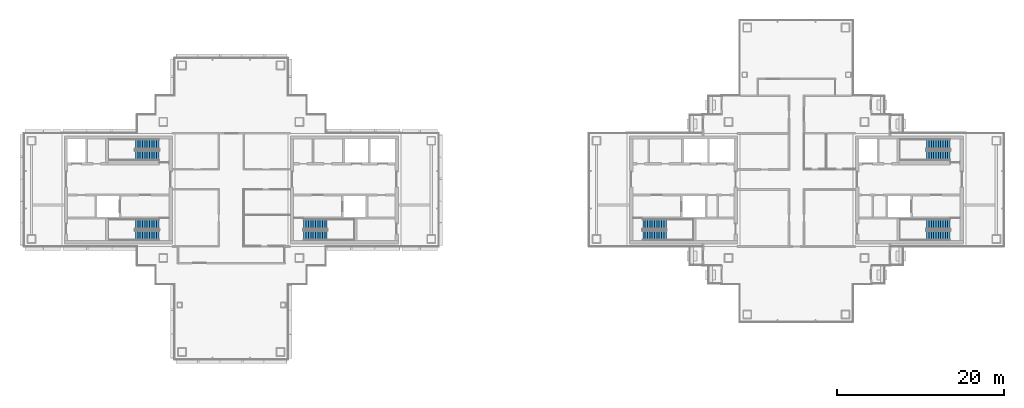
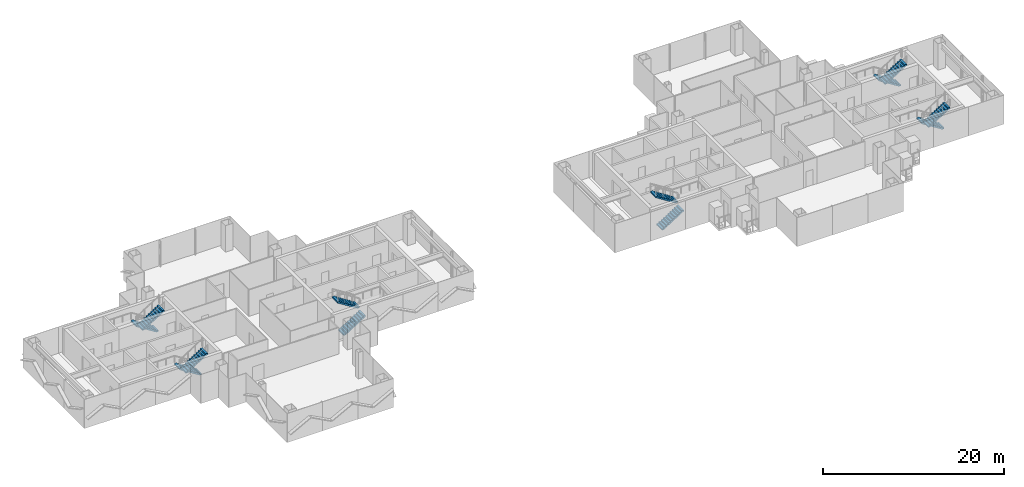
# One storey, part 13 of 17: 12 stair flights, 6 elements without a shape of their own.
"""IFC4 building model written with IfcOpenShell, lengths in metres."""

from ifc_helpers import new_model, si_unit, direction, frame, origin, place, context, subcontext, project, spatial, polyline, outline, extrude, material, type_object, element, aggregate, save


model = new_model("IFC4")

# Units and contexts
model_context = context("Model", 3, precision=1e-05, world=origin(), true_north=direction((0.0, 1.0)))
body_context = subcontext(model_context, "Body", "Model", "MODEL_VIEW")
ifc_project = project(units=[si_unit("LENGTHUNIT", "METRE"), si_unit("AREAUNIT", "SQUARE_METRE"), si_unit("VOLUMEUNIT", "CUBIC_METRE"), si_unit("PLANEANGLEUNIT", "RADIAN"), si_unit("MASSUNIT", "GRAM", prefix="KILO")], contexts=[model_context])

# Site, building, storey
site_placement = place(None, origin())
site = spatial("IfcSite", under=ifc_project, at=site_placement, CompositionType="ELEMENT")
building_placement = place(site_placement, origin())
building = spatial("IfcBuilding", under=site, at=building_placement, Name="Shamsa Quay Exchange Towers", CompositionType="ELEMENT")
storey_placement = place(building_placement, frame((0.0, 0.0, 194.39990234375)))
storey = spatial("IfcBuildingStorey", under=building, at=storey_placement, Name="L46", CompositionType="ELEMENT", Elevation=194.39990234375)

# Stair, stair flights
ifc_material = material(Name="Concrete C40/50", Category="concrete")
stair_type = type_object("IfcStairType", Name="EXIT STAIR 22 RISERS 177 MM", PredefinedType="HALF_TURN_STAIR", material=ifc_material)
stair_1_placement = place(storey_placement, origin())
stair_1 = element("IfcStair", 1, at=stair_1_placement, inside=storey, type_object=stair_type, Name="L46 Exit stair ST1", PredefinedType="HALF_TURN_STAIR")
stair_flight_type = type_object("IfcStairFlightType", Name="EXIT STAIR FLIGHT 11 RISERS 177 MM", PredefinedType="STRAIGHT", material=ifc_material)
stair_flight_1_placement = place(storey_placement, frame((-25.10009765625, -5.449951171875, 0.0)))
stair_flight_1 = element("IfcStairFlight", 2, at=stair_flight_1_placement, type_object=stair_flight_type, Name="ST1 flight 1", NumberOfRisers=11, NumberOfTreads=10, PredefinedType="STRAIGHT", RiserHeight=0.177272727, TreadLength=0.28, context=body_context, shape_type="SweptSolid", body=[
    extrude(outline(polyline([(0.0, 0.0), (0.0, 0.17724609375), (0.280029296875, 0.17724609375), (0.280029296875, 0.3544921875), (0.56005859375, 0.3544921875), (0.56005859375, 0.53173828125), (0.840087890625, 0.53173828125), (0.840087890625, 0.708984375), (1.1201171875, 0.708984375), (1.1201171875, 0.886474609375), (1.39990234375, 0.886474609375), (1.39990234375, 1.063720703125), (1.679931640625, 1.063720703125), (1.679931640625, 1.240966796875), (1.9599609375, 1.240966796875), (1.9599609375, 1.418212890625), (2.239990234375, 1.418212890625), (2.239990234375, 1.595458984375), (2.52001953125, 1.595458984375), (2.52001953125, 1.772705078125), (2.800048828125, 1.772705078125), (2.800048828125, 1.949951171875), (2.800048828125, 1.607177734375), (0.261474609375, 0.0), (0.0, 0.0)])), frame((0.0, 0.60009765625, 0.0), z_axis=(0.0, -1.0, 0.0), x_axis=(1.0, 0.0, 0.0)), (0.0, 0.0, 1.0), 1.199951171875),
])
stair_flight_2_placement = place(storey_placement, frame((-22.300048828125, -4.10009765625, 1.9501953125), z_axis=(0.0, 0.0, 1.0), x_axis=(-1.0, 0.0, 0.0)))
stair_flight_2 = element("IfcStairFlight", 3, at=stair_flight_2_placement, type_object=stair_flight_type, Name="ST1 flight 2", NumberOfRisers=11, NumberOfTreads=10, PredefinedType="STRAIGHT", RiserHeight=0.177272727, TreadLength=0.28, context=body_context, shape_type="SweptSolid", body=[
    extrude(outline(polyline([(0.0, 0.0), (0.0, 0.17724609375), (0.280029296875, 0.17724609375), (0.280029296875, 0.3544921875), (0.56005859375, 0.3544921875), (0.56005859375, 0.53173828125), (0.840087890625, 0.53173828125), (0.840087890625, 0.708984375), (1.1201171875, 0.708984375), (1.1201171875, 0.886474609375), (1.39990234375, 0.886474609375), (1.39990234375, 1.063720703125), (1.679931640625, 1.063720703125), (1.679931640625, 1.240966796875), (1.9599609375, 1.240966796875), (1.9599609375, 1.418212890625), (2.239990234375, 1.418212890625), (2.239990234375, 1.595458984375), (2.52001953125, 1.595458984375), (2.52001953125, 1.772705078125), (2.800048828125, 1.772705078125), (2.800048828125, 1.949951171875), (2.800048828125, 1.607177734375), (0.261474609375, 0.0), (0.0, 0.0)])), frame((0.0, 0.60009765625, 0.0), z_axis=(0.0, -1.0, 0.0), x_axis=(1.0, 0.0, 0.0)), (0.0, 0.0, 1.0), 1.199951171875),
])
aggregate(stair_1, [stair_flight_1, stair_flight_2])

stair_2_placement = place(storey_placement, origin())
stair_2 = element("IfcStair", 4, at=stair_2_placement, inside=storey, type_object=stair_type, Name="L46 Exit stair ST2", PredefinedType="HALF_TURN_STAIR")
stair_flight_3_placement = place(storey_placement, frame((-42.39990234375, -4.10009765625, 0.0), z_axis=(0.0, 0.0, 1.0), x_axis=(-1.0, 0.0, 0.0)))
stair_flight_3 = element("IfcStairFlight", 5, at=stair_flight_3_placement, type_object=stair_flight_type, Name="ST2 flight 1", NumberOfRisers=11, NumberOfTreads=10, PredefinedType="STRAIGHT", RiserHeight=0.177272727, TreadLength=0.28, context=body_context, shape_type="SweptSolid", body=[
    extrude(outline(polyline([(0.0, 0.0), (0.0, 0.17724609375), (0.280029296875, 0.17724609375), (0.280029296875, 0.3544921875), (0.56005859375, 0.3544921875), (0.56005859375, 0.53173828125), (0.840087890625, 0.53173828125), (0.840087890625, 0.708984375), (1.1201171875, 0.708984375), (1.1201171875, 0.886474609375), (1.39990234375, 0.886474609375), (1.39990234375, 1.063720703125), (1.679931640625, 1.063720703125), (1.679931640625, 1.240966796875), (1.9599609375, 1.240966796875), (1.9599609375, 1.418212890625), (2.239990234375, 1.418212890625), (2.239990234375, 1.595458984375), (2.52001953125, 1.595458984375), (2.52001953125, 1.772705078125), (2.800048828125, 1.772705078125), (2.800048828125, 1.949951171875), (2.800048828125, 1.607177734375), (0.261474609375, 0.0), (0.0, 0.0)])), frame((0.0, 0.60009765625, 0.0), z_axis=(0.0, -1.0, 0.0), x_axis=(1.0, 0.0, 0.0)), (0.0, 0.0, 1.0), 1.199951171875),
])
stair_flight_4_placement = place(storey_placement, frame((-45.199951171875, -5.449951171875, 1.9501953125)))
stair_flight_4 = element("IfcStairFlight", 6, at=stair_flight_4_placement, type_object=stair_flight_type, Name="ST2 flight 2", NumberOfRisers=11, NumberOfTreads=10, PredefinedType="STRAIGHT", RiserHeight=0.177272727, TreadLength=0.28, context=body_context, shape_type="SweptSolid", body=[
    extrude(outline(polyline([(0.0, 0.0), (0.0, 0.17724609375), (0.280029296875, 0.17724609375), (0.280029296875, 0.3544921875), (0.56005859375, 0.3544921875), (0.56005859375, 0.53173828125), (0.840087890625, 0.53173828125), (0.840087890625, 0.708984375), (1.1201171875, 0.708984375), (1.1201171875, 0.886474609375), (1.39990234375, 0.886474609375), (1.39990234375, 1.063720703125), (1.679931640625, 1.063720703125), (1.679931640625, 1.240966796875), (1.9599609375, 1.240966796875), (1.9599609375, 1.418212890625), (2.239990234375, 1.418212890625), (2.239990234375, 1.595458984375), (2.52001953125, 1.595458984375), (2.52001953125, 1.772705078125), (2.800048828125, 1.772705078125), (2.800048828125, 1.949951171875), (2.800048828125, 1.607177734375), (0.261474609375, 0.0), (0.0, 0.0)])), frame((0.0, 0.60009765625, 0.0), z_axis=(0.0, -1.0, 0.0), x_axis=(1.0, 0.0, 0.0)), (0.0, 0.0, 1.0), 1.199951171875),
])
aggregate(stair_2, [stair_flight_3, stair_flight_4])

stair_3_placement = place(storey_placement, origin())
stair_3 = element("IfcStair", 7, at=stair_3_placement, inside=storey, type_object=stair_type, Name="L46 Exit stair ST3", PredefinedType="HALF_TURN_STAIR")
stair_flight_5_placement = place(storey_placement, frame((-42.39990234375, 5.449951171875, 0.0), z_axis=(0.0, 0.0, 1.0), x_axis=(-1.0, 0.0, 0.0)))
stair_flight_5 = element("IfcStairFlight", 8, at=stair_flight_5_placement, type_object=stair_flight_type, Name="ST3 flight 1", NumberOfRisers=11, NumberOfTreads=10, PredefinedType="STRAIGHT", RiserHeight=0.177272727, TreadLength=0.28, context=body_context, shape_type="SweptSolid", body=[
    extrude(outline(polyline([(0.0, 0.0), (0.0, 0.17724609375), (0.280029296875, 0.17724609375), (0.280029296875, 0.3544921875), (0.56005859375, 0.3544921875), (0.56005859375, 0.53173828125), (0.840087890625, 0.53173828125), (0.840087890625, 0.708984375), (1.1201171875, 0.708984375), (1.1201171875, 0.886474609375), (1.39990234375, 0.886474609375), (1.39990234375, 1.063720703125), (1.679931640625, 1.063720703125), (1.679931640625, 1.240966796875), (1.9599609375, 1.240966796875), (1.9599609375, 1.418212890625), (2.239990234375, 1.418212890625), (2.239990234375, 1.595458984375), (2.52001953125, 1.595458984375), (2.52001953125, 1.772705078125), (2.800048828125, 1.772705078125), (2.800048828125, 1.949951171875), (2.800048828125, 1.607177734375), (0.261474609375, 0.0), (0.0, 0.0)])), frame((0.0, 0.60009765625, 0.0), z_axis=(0.0, -1.0, 0.0), x_axis=(1.0, 0.0, 0.0)), (0.0, 0.0, 1.0), 1.199951171875),
])
stair_flight_6_placement = place(storey_placement, frame((-45.199951171875, 4.10009765625, 1.9501953125)))
stair_flight_6 = element("IfcStairFlight", 9, at=stair_flight_6_placement, type_object=stair_flight_type, Name="ST3 flight 2", NumberOfRisers=11, NumberOfTreads=10, PredefinedType="STRAIGHT", RiserHeight=0.177272727, TreadLength=0.28, context=body_context, shape_type="SweptSolid", body=[
    extrude(outline(polyline([(0.0, 0.0), (0.0, 0.17724609375), (0.280029296875, 0.17724609375), (0.280029296875, 0.3544921875), (0.56005859375, 0.3544921875), (0.56005859375, 0.53173828125), (0.840087890625, 0.53173828125), (0.840087890625, 0.708984375), (1.1201171875, 0.708984375), (1.1201171875, 0.886474609375), (1.39990234375, 0.886474609375), (1.39990234375, 1.063720703125), (1.679931640625, 1.063720703125), (1.679931640625, 1.240966796875), (1.9599609375, 1.240966796875), (1.9599609375, 1.418212890625), (2.239990234375, 1.418212890625), (2.239990234375, 1.595458984375), (2.52001953125, 1.595458984375), (2.52001953125, 1.772705078125), (2.800048828125, 1.772705078125), (2.800048828125, 1.949951171875), (2.800048828125, 1.607177734375), (0.261474609375, 0.0), (0.0, 0.0)])), frame((0.0, 0.60009765625, 0.0), z_axis=(0.0, -1.0, 0.0), x_axis=(1.0, 0.0, 0.0)), (0.0, 0.0, 1.0), 1.199951171875),
])
aggregate(stair_3, [stair_flight_5, stair_flight_6])

stair_4_placement = place(storey_placement, origin())
stair_4 = element("IfcStair", 10, at=stair_4_placement, inside=storey, type_object=stair_type, Name="L46 Exit stair ST4", PredefinedType="HALF_TURN_STAIR")
stair_flight_7_placement = place(storey_placement, frame((15.39990234375, -5.449951171875, 0.0)))
stair_flight_7 = element("IfcStairFlight", 11, at=stair_flight_7_placement, type_object=stair_flight_type, Name="ST4 flight 1", NumberOfRisers=11, NumberOfTreads=10, PredefinedType="STRAIGHT", RiserHeight=0.177272727, TreadLength=0.28, context=body_context, shape_type="SweptSolid", body=[
    extrude(outline(polyline([(0.0, 0.0), (0.0, 0.17724609375), (0.280029296875, 0.17724609375), (0.280029296875, 0.3544921875), (0.56005859375, 0.3544921875), (0.56005859375, 0.53173828125), (0.840087890625, 0.53173828125), (0.840087890625, 0.708984375), (1.1201171875, 0.708984375), (1.1201171875, 0.886474609375), (1.39990234375, 0.886474609375), (1.39990234375, 1.063720703125), (1.679931640625, 1.063720703125), (1.679931640625, 1.240966796875), (1.9599609375, 1.240966796875), (1.9599609375, 1.418212890625), (2.239990234375, 1.418212890625), (2.239990234375, 1.595458984375), (2.52001953125, 1.595458984375), (2.52001953125, 1.772705078125), (2.800048828125, 1.772705078125), (2.800048828125, 1.949951171875), (2.800048828125, 1.607177734375), (0.261474609375, 0.0), (0.0, 0.0)])), frame((0.0, 0.60009765625, 0.0), z_axis=(0.0, -1.0, 0.0), x_axis=(1.0, 0.0, 0.0)), (0.0, 0.0, 1.0), 1.199951171875),
])
stair_flight_8_placement = place(storey_placement, frame((18.199951171875, -4.10009765625, 1.9501953125), z_axis=(0.0, 0.0, 1.0), x_axis=(-1.0, 0.0, 0.0)))
stair_flight_8 = element("IfcStairFlight", 12, at=stair_flight_8_placement, type_object=stair_flight_type, Name="ST4 flight 2", NumberOfRisers=11, NumberOfTreads=10, PredefinedType="STRAIGHT", RiserHeight=0.177272727, TreadLength=0.28, context=body_context, shape_type="SweptSolid", body=[
    extrude(outline(polyline([(0.0, 0.0), (0.0, 0.17724609375), (0.280029296875, 0.17724609375), (0.280029296875, 0.3544921875), (0.56005859375, 0.3544921875), (0.56005859375, 0.53173828125), (0.840087890625, 0.53173828125), (0.840087890625, 0.708984375), (1.1201171875, 0.708984375), (1.1201171875, 0.886474609375), (1.39990234375, 0.886474609375), (1.39990234375, 1.063720703125), (1.679931640625, 1.063720703125), (1.679931640625, 1.240966796875), (1.9599609375, 1.240966796875), (1.9599609375, 1.418212890625), (2.239990234375, 1.418212890625), (2.239990234375, 1.595458984375), (2.52001953125, 1.595458984375), (2.52001953125, 1.772705078125), (2.800048828125, 1.772705078125), (2.800048828125, 1.949951171875), (2.800048828125, 1.607177734375), (0.261474609375, 0.0), (0.0, 0.0)])), frame((0.0, 0.60009765625, 0.0), z_axis=(0.0, -1.0, 0.0), x_axis=(1.0, 0.0, 0.0)), (0.0, 0.0, 1.0), 1.199951171875),
])
aggregate(stair_4, [stair_flight_7, stair_flight_8])

stair_5_placement = place(storey_placement, origin())
stair_5 = element("IfcStair", 13, at=stair_5_placement, inside=storey, type_object=stair_type, Name="L46 Exit stair ST5", PredefinedType="HALF_TURN_STAIR")
stair_flight_9_placement = place(storey_placement, frame((52.10009765625, -4.10009765625, 0.0), z_axis=(0.0, 0.0, 1.0), x_axis=(-1.0, 0.0, 0.0)))
stair_flight_9 = element("IfcStairFlight", 14, at=stair_flight_9_placement, type_object=stair_flight_type, Name="ST5 flight 1", NumberOfRisers=11, NumberOfTreads=10, PredefinedType="STRAIGHT", RiserHeight=0.177272727, TreadLength=0.28, context=body_context, shape_type="SweptSolid", body=[
    extrude(outline(polyline([(0.0, 0.0), (0.0, 0.17724609375), (0.280029296875, 0.17724609375), (0.280029296875, 0.3544921875), (0.56005859375, 0.3544921875), (0.56005859375, 0.53173828125), (0.840087890625, 0.53173828125), (0.840087890625, 0.708984375), (1.1201171875, 0.708984375), (1.1201171875, 0.886474609375), (1.39990234375, 0.886474609375), (1.39990234375, 1.063720703125), (1.679931640625, 1.063720703125), (1.679931640625, 1.240966796875), (1.9599609375, 1.240966796875), (1.9599609375, 1.418212890625), (2.239990234375, 1.418212890625), (2.239990234375, 1.595458984375), (2.52001953125, 1.595458984375), (2.52001953125, 1.772705078125), (2.800048828125, 1.772705078125), (2.800048828125, 1.949951171875), (2.800048828125, 1.607177734375), (0.261474609375, 0.0), (0.0, 0.0)])), frame((0.0, 0.60009765625, 0.0), z_axis=(0.0, -1.0, 0.0), x_axis=(1.0, 0.0, 0.0)), (0.0, 0.0, 1.0), 1.199951171875),
])
stair_flight_10_placement = place(storey_placement, frame((49.300048828125, -5.449951171875, 1.9501953125)))
stair_flight_10 = element("IfcStairFlight", 15, at=stair_flight_10_placement, type_object=stair_flight_type, Name="ST5 flight 2", NumberOfRisers=11, NumberOfTreads=10, PredefinedType="STRAIGHT", RiserHeight=0.177272727, TreadLength=0.28, context=body_context, shape_type="SweptSolid", body=[
    extrude(outline(polyline([(0.0, 0.0), (0.0, 0.17724609375), (0.280029296875, 0.17724609375), (0.280029296875, 0.3544921875), (0.56005859375, 0.3544921875), (0.56005859375, 0.53173828125), (0.840087890625, 0.53173828125), (0.840087890625, 0.708984375), (1.1201171875, 0.708984375), (1.1201171875, 0.886474609375), (1.39990234375, 0.886474609375), (1.39990234375, 1.063720703125), (1.679931640625, 1.063720703125), (1.679931640625, 1.240966796875), (1.9599609375, 1.240966796875), (1.9599609375, 1.418212890625), (2.239990234375, 1.418212890625), (2.239990234375, 1.595458984375), (2.52001953125, 1.595458984375), (2.52001953125, 1.772705078125), (2.800048828125, 1.772705078125), (2.800048828125, 1.949951171875), (2.800048828125, 1.607177734375), (0.261474609375, 0.0), (0.0, 0.0)])), frame((0.0, 0.60009765625, 0.0), z_axis=(0.0, -1.0, 0.0), x_axis=(1.0, 0.0, 0.0)), (0.0, 0.0, 1.0), 1.199951171875),
])
aggregate(stair_5, [stair_flight_9, stair_flight_10])

stair_6_placement = place(storey_placement, origin())
stair_6 = element("IfcStair", 16, at=stair_6_placement, inside=storey, type_object=stair_type, Name="L46 Exit stair ST6", PredefinedType="HALF_TURN_STAIR")
stair_flight_11_placement = place(storey_placement, frame((52.10009765625, 5.449951171875, 0.0), z_axis=(0.0, 0.0, 1.0), x_axis=(-1.0, 0.0, 0.0)))
stair_flight_11 = element("IfcStairFlight", 17, at=stair_flight_11_placement, type_object=stair_flight_type, Name="ST6 flight 1", NumberOfRisers=11, NumberOfTreads=10, PredefinedType="STRAIGHT", RiserHeight=0.177272727, TreadLength=0.28, context=body_context, shape_type="SweptSolid", body=[
    extrude(outline(polyline([(0.0, 0.0), (0.0, 0.17724609375), (0.280029296875, 0.17724609375), (0.280029296875, 0.3544921875), (0.56005859375, 0.3544921875), (0.56005859375, 0.53173828125), (0.840087890625, 0.53173828125), (0.840087890625, 0.708984375), (1.1201171875, 0.708984375), (1.1201171875, 0.886474609375), (1.39990234375, 0.886474609375), (1.39990234375, 1.063720703125), (1.679931640625, 1.063720703125), (1.679931640625, 1.240966796875), (1.9599609375, 1.240966796875), (1.9599609375, 1.418212890625), (2.239990234375, 1.418212890625), (2.239990234375, 1.595458984375), (2.52001953125, 1.595458984375), (2.52001953125, 1.772705078125), (2.800048828125, 1.772705078125), (2.800048828125, 1.949951171875), (2.800048828125, 1.607177734375), (0.261474609375, 0.0), (0.0, 0.0)])), frame((0.0, 0.60009765625, 0.0), z_axis=(0.0, -1.0, 0.0), x_axis=(1.0, 0.0, 0.0)), (0.0, 0.0, 1.0), 1.199951171875),
])
stair_flight_12_placement = place(storey_placement, frame((49.300048828125, 4.10009765625, 1.9501953125)))
stair_flight_12 = element("IfcStairFlight", 18, at=stair_flight_12_placement, type_object=stair_flight_type, Name="ST6 flight 2", NumberOfRisers=11, NumberOfTreads=10, PredefinedType="STRAIGHT", RiserHeight=0.177272727, TreadLength=0.28, context=body_context, shape_type="SweptSolid", body=[
    extrude(outline(polyline([(0.0, 0.0), (0.0, 0.17724609375), (0.280029296875, 0.17724609375), (0.280029296875, 0.3544921875), (0.56005859375, 0.3544921875), (0.56005859375, 0.53173828125), (0.840087890625, 0.53173828125), (0.840087890625, 0.708984375), (1.1201171875, 0.708984375), (1.1201171875, 0.886474609375), (1.39990234375, 0.886474609375), (1.39990234375, 1.063720703125), (1.679931640625, 1.063720703125), (1.679931640625, 1.240966796875), (1.9599609375, 1.240966796875), (1.9599609375, 1.418212890625), (2.239990234375, 1.418212890625), (2.239990234375, 1.595458984375), (2.52001953125, 1.595458984375), (2.52001953125, 1.772705078125), (2.800048828125, 1.772705078125), (2.800048828125, 1.949951171875), (2.800048828125, 1.607177734375), (0.261474609375, 0.0), (0.0, 0.0)])), frame((0.0, 0.60009765625, 0.0), z_axis=(0.0, -1.0, 0.0), x_axis=(1.0, 0.0, 0.0)), (0.0, 0.0, 1.0), 1.199951171875),
])
aggregate(stair_6, [stair_flight_11, stair_flight_12])

save(model, "model.ifc")
